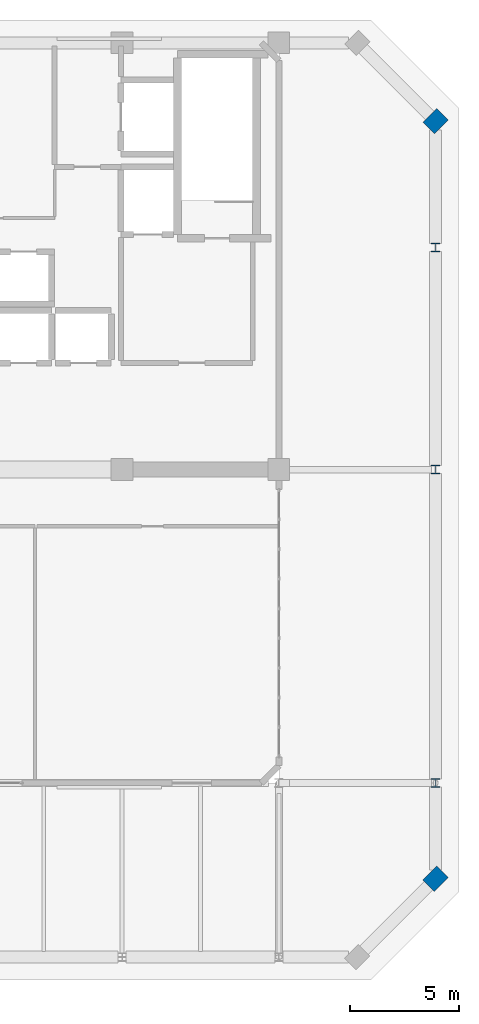
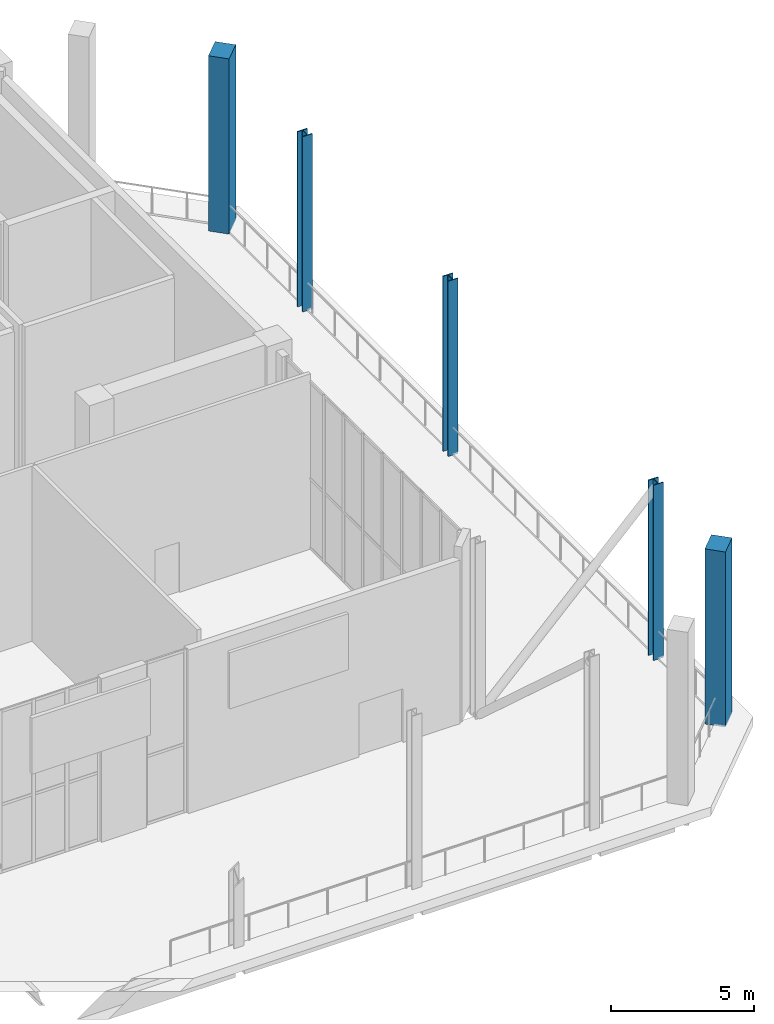
# One storey, part 3 of 23: 5 columns.
"""IFC4 building model written with IfcOpenShell, lengths in metres."""

from ifc_helpers import new_model, si_unit, direction, frame, origin, origin_2d, place, context, subcontext, project, spatial, rectangle, i_section, extrude, material, material_profile, profile_set, type_object, element, save


model = new_model("IFC4")

# Units and contexts
model_context = context("Model", 3, precision=1e-05, world=origin(), true_north=direction((0.0, 1.0)))
body_context = subcontext(model_context, "Body", "Model", "MODEL_VIEW")
ifc_project = project(units=[si_unit("LENGTHUNIT", "METRE"), si_unit("AREAUNIT", "SQUARE_METRE"), si_unit("VOLUMEUNIT", "CUBIC_METRE"), si_unit("PLANEANGLEUNIT", "RADIAN"), si_unit("MASSUNIT", "GRAM", prefix="KILO")], contexts=[model_context])

# Site, building, storey
site_placement = place(None, origin())
site = spatial("IfcSite", under=ifc_project, at=site_placement, CompositionType="ELEMENT")
building_placement = place(site_placement, origin())
building = spatial("IfcBuilding", under=site, at=building_placement, Name="Kaelvorn Grand Hotel", CompositionType="ELEMENT")
storey_placement = place(building_placement, frame((0.0, 0.0, 310.699951171875)))
storey = spatial("IfcBuildingStorey", under=building, at=storey_placement, Name="L75", CompositionType="ELEMENT", Elevation=310.699951171875)

# Columns
ifc_material_1 = material(Name="Concrete C60/75", Category="concrete")
ifc_material_profile_1 = material_profile(ifc_material_1, rectangle(XDim=0.89990234375, YDim=0.75, at=origin_2d()), Name="RC PILASTER 900x750")
ifc_profile_set_1 = profile_set([ifc_material_profile_1], Name="Concrete C60/75")
column_type_1 = type_object("IfcColumnType", Name="COL-PIL-900x750-C60", PredefinedType="PILASTER", material=ifc_profile_set_1)
for number, where, z_axis, x_axis, name in (
    (1, (75.0, 10.60009765625, 0.0), (0.0, 0.0, 1.0), (0.707106781187, 0.707106781187, 0.0), "L75 Structural Column CH-03"),
    (2, (75.0, 45.39990234375, 0.0), (0.0, 0.0, 1.0), (0.707106781187, 0.707106781187, 0.0), "L75 Structural Column CH-04"),
):
    element("IfcColumn", number, at=place(storey_placement, frame(where, z_axis=z_axis, x_axis=x_axis)), inside=storey, type_object=column_type_1, Name=name, PredefinedType="PILASTER", context=body_context, shape_type="SweptSolid", body=[
        extrude(rectangle(XDim=0.89990234375, YDim=0.75, at=origin_2d()), origin(), (0.0, 0.0, 1.0), 7.5),
    ])
ifc_material_2 = material(Name="Steel S355", Category="steel")
ifc_material_profile_2 = material_profile(ifc_material_2, i_section(OverallWidth=0.39892578125, OverallDepth=0.3935546875, WebThickness=0.022705078125, FlangeThickness=0.03662109375, FilletRadius=0.01513671875, at=origin_2d()), Name="UC 356x406x287")
ifc_profile_set_2 = profile_set([ifc_material_profile_2], Name="Steel S355")
column_type_2 = type_object("IfcColumnType", Name="COL-STL-UC356-S355", PredefinedType="COLUMN", material=ifc_profile_set_2)
for number, where, z_axis, x_axis, name in (
    (3, (75.0, 15.0, 0.0), (0.0, 0.0, 1.0), (1.0, 0.0, 0.0), "L75 Structural Column CPE-01"),
    (4, (75.0, 29.39990234375, 0.0), (0.0, 0.0, 1.0), (1.0, 0.0, 0.0), "L75 Structural Column CPE-02"),
    (5, (75.0, 39.60009765625, 0.0), (0.0, 0.0, 1.0), (1.0, 0.0, 0.0), "L75 Structural Column CPE-03"),
):
    element("IfcColumn", number, at=place(storey_placement, frame(where, z_axis=z_axis, x_axis=x_axis)), inside=storey, type_object=column_type_2, Name=name, PredefinedType="COLUMN", context=body_context, shape_type="SweptSolid", body=[
        extrude(i_section(OverallWidth=0.39892578125, OverallDepth=0.3935546875, WebThickness=0.022705078125, FlangeThickness=0.03662109375, FilletRadius=0.01513671875, at=origin_2d()), origin(), (0.0, 0.0, 1.0), 7.5),
    ])

save(model, "model.ifc")
